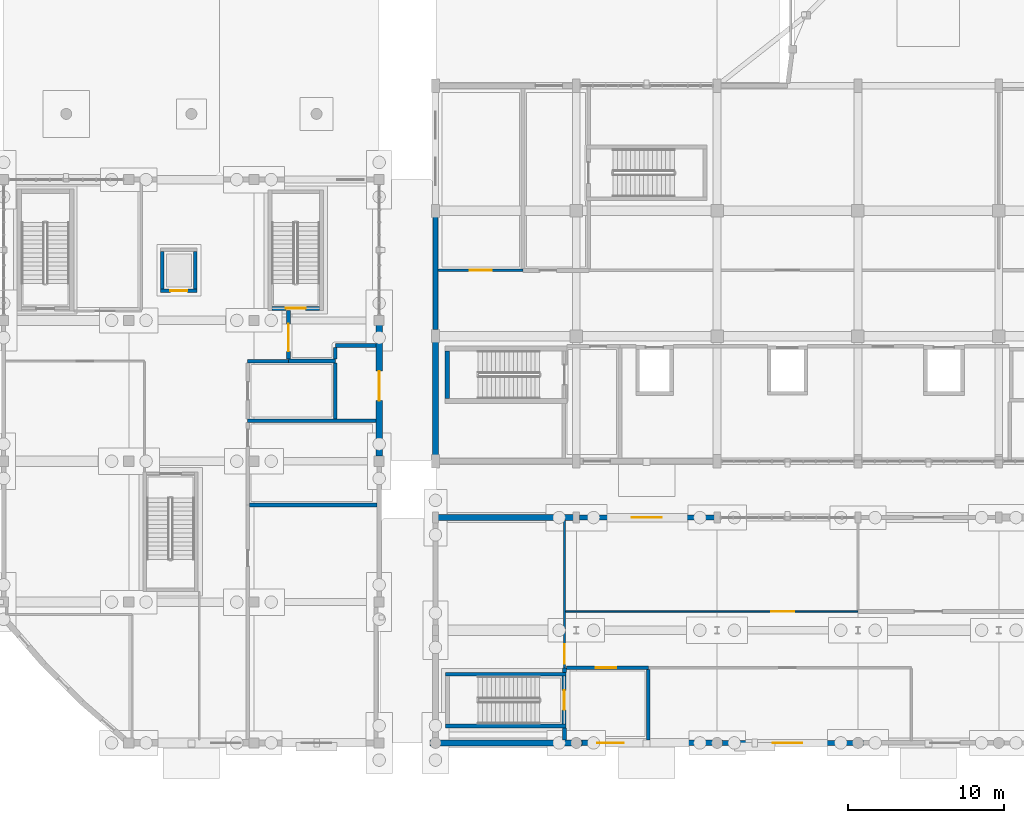
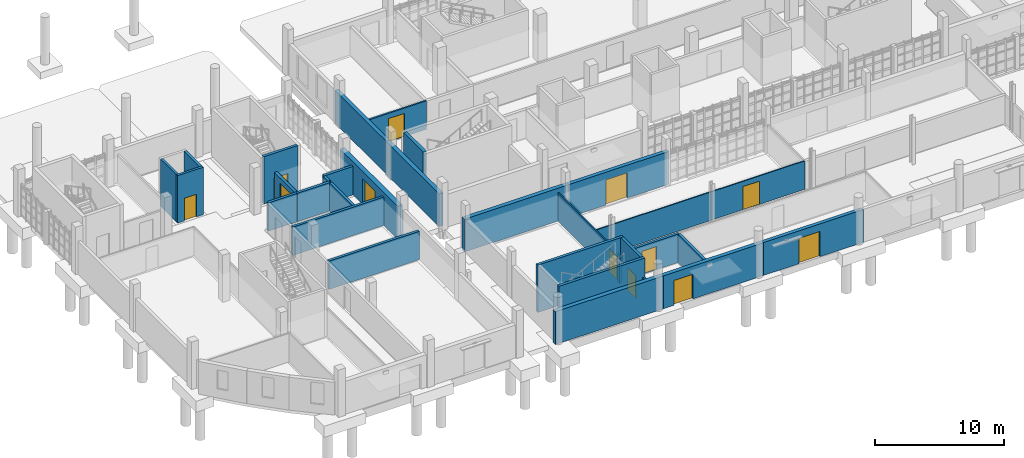
# One storey, part 42 of 63: 31 walls, 12 doors, 12 openings.
"""IFC4 building model written with IfcOpenShell, lengths in metres."""

import ifcopenshell
import ifcopenshell.guid

model = None  # the IFC model being written
_history = None  # IfcOwnerHistory: only IFC2X3 demands one
_inside = {}  # id of a spatial element -> (the spatial element, [elements in it])
_under = {}  # id of a project, library or spatial element -> (it, [spatial elements below it])
_declared = {}  # id of a project -> (the project, [libraries it declares])
_typed = {}  # id of a type object -> (the type object, [elements of that type])
_made_of = {}  # id of a material, layer set ... -> (it, [elements and type objects made of it])


def new_model(schema):
    """Start an empty IFC model of exactly this schema.

    Asked for "IFC4X3", IfcOpenShell would pick the latest addendum, in which some entities
    have other attributes; the version numbers below select the first issue.
    IFC2X3 requires an IfcOwnerHistory on every rooted entity: one is made here for all.
    """
    global model, _history
    if schema == "IFC4X3":
        model = ifcopenshell.file(schema_version=(4, 3, 0, 0))
    else:
        model = ifcopenshell.file(schema=schema)
    _inside.clear()
    _under.clear()
    _declared.clear()
    _typed.clear()
    _made_of.clear()
    _history = None
    if model.schema == "IFC2X3":
        org = make("IfcOrganization", Name="unknown")
        user = make(
            "IfcPersonAndOrganization",
            ThePerson=make("IfcPerson", FamilyName="unknown"),
            TheOrganization=org,
        )
        app = make(
            "IfcApplication",
            ApplicationDeveloper=org,
            Version="unknown",
            ApplicationFullName="unknown",
            ApplicationIdentifier="unknown",
        )
        _history = make(
            "IfcOwnerHistory",
            OwningUser=user,
            OwningApplication=app,
            ChangeAction="ADDED",
            CreationDate=0,
        )
    return model


def make(cls, **values):
    """One entity of the class cls with the attributes given. An attribute that is None is left unset."""
    return model.create_entity(
        cls, **{name: value for name, value in values.items() if value is not None}
    )


def rooted(cls, **values):
    """An entity with a GlobalId (a new one), such as an element, a storey or a relation."""
    return make(cls, GlobalId=ifcopenshell.guid.new(), OwnerHistory=_history, **values)


def si_unit(unit_type, name, prefix=None):
    """IfcSIUnit, for example si_unit("LENGTHUNIT", "METRE", prefix="MILLI")."""
    return make("IfcSIUnit", UnitType=unit_type, Prefix=prefix, Name=name)


def assignment(units):
    """IfcUnitAssignment: the units of a project."""
    return None if units is None else make("IfcUnitAssignment", Units=units)


def point(xyz):
    """IfcCartesianPoint."""
    return None if xyz is None else make("IfcCartesianPoint", Coordinates=xyz)


def direction(xyz):
    """IfcDirection."""
    return None if xyz is None else make("IfcDirection", DirectionRatios=xyz)


def frame(location, z_axis=None, x_axis=None):
    """IfcAxis2Placement3D, a coordinate frame: its origin and axes. An axis left out is left unset."""
    return make(
        "IfcAxis2Placement3D",
        Location=point(location),
        Axis=direction(z_axis),
        RefDirection=direction(x_axis),
    )


def frame_2d(location, x_axis=None):
    """IfcAxis2Placement2D, a coordinate frame in the plane: its origin and x axis."""
    return make(
        "IfcAxis2Placement2D", Location=point(location), RefDirection=direction(x_axis)
    )


def origin():
    """The frame at (0, 0, 0) with its axes left unset."""
    return frame((0.0, 0.0, 0.0))


def place(relative_to, where):
    """IfcLocalPlacement: puts the frame where relative to a parent placement (None: the world)."""
    return make(
        "IfcLocalPlacement", PlacementRelTo=relative_to, RelativePlacement=where
    )


def context(
    kind, dimensions, precision=None, world=None, true_north=None, identifier=None
):
    """IfcGeometricRepresentationContext, for example the 3D "Model" context."""
    return make(
        "IfcGeometricRepresentationContext",
        ContextIdentifier=identifier,
        ContextType=kind,
        CoordinateSpaceDimension=dimensions,
        Precision=precision,
        WorldCoordinateSystem=world,
        TrueNorth=true_north,
    )


def subcontext(parent, identifier, kind, view, scale=None):
    """IfcGeometricRepresentationSubContext, for example "Body" below "Model"."""
    return make(
        "IfcGeometricRepresentationSubContext",
        ContextIdentifier=identifier,
        ContextType=kind,
        ParentContext=parent,
        TargetScale=scale,
        TargetView=view,
    )


def project(units=None, contexts=None):
    """IfcProject with its units and contexts."""
    return rooted(
        "IfcProject",
        Name="project",
        RepresentationContexts=contexts,
        UnitsInContext=assignment(units),
    )


def spatial(cls, under=None, at=None, **own):
    """A site, building, storey or space (cls), placed at a placement, below another one or the project."""
    s = rooted(cls, ObjectPlacement=at, **own)
    if under is not None:
        _under.setdefault(under.id(), (under, []))[1].append(s)
    return s


def profile(cls, at=None, kind="AREA", **sizes):
    """A parametric profile (cls). Its sizes go by their IFC names, for example OverallWidth=200.0."""
    return make(cls, ProfileType=kind, Position=at, **sizes)


def rectangle(**sizes):
    """IfcRectangleProfileDef."""
    return profile("IfcRectangleProfileDef", **sizes)


def extrude(swept, where, along, depth):
    """IfcExtrudedAreaSolid: the profile swept, set in the frame where, extruded along a direction by depth."""
    return make(
        "IfcExtrudedAreaSolid",
        SweptArea=swept,
        Position=where,
        ExtrudedDirection=direction(along),
        Depth=depth,
    )


def shape(context_of_items, identifier, shape_type, items):
    """IfcShapeRepresentation: the items that make up one representation, for example the "Body"."""
    return make(
        "IfcShapeRepresentation",
        ContextOfItems=context_of_items,
        RepresentationIdentifier=identifier,
        RepresentationType=shape_type,
        Items=items,
    )


def material(Name=None, Category=None):
    """IfcMaterial."""
    return make("IfcMaterial", Name=Name, Category=Category)


def layer(
    of_material, thickness, ventilated=None, Name=None, Category=None, Priority=None
):
    """IfcMaterialLayer: one layer of a wall or slab, of a material (None: an air gap)."""
    return make(
        "IfcMaterialLayer",
        Material=of_material,
        LayerThickness=thickness,
        IsVentilated=ventilated,
        Name=Name,
        Category=Category,
        Priority=Priority,
    )


def layer_set(layers, Name=None):
    """IfcMaterialLayerSet."""
    return make("IfcMaterialLayerSet", MaterialLayers=layers, LayerSetName=Name)


def made_of(thing, what):
    """Note that an element or type object is made of a material, layer set ...; save() writes the relation."""
    if what is not None:
        _made_of.setdefault(what.id(), (what, []))[1].append(thing)
    return thing


def type_object(cls, material=None, **own):
    """A type object (cls), such as IfcWallType, which elements share."""
    return made_of(rooted(cls, **own), material)


def element(
    cls,
    number,
    at=None,
    inside=None,
    cuts=None,
    type_object=None,
    material=None,
    context=None,
    identifier="Body",
    shape_type=None,
    held_by="IfcProductDefinitionShape",
    body=None,
    shapes=None,
    **own,
):
    """One element of the class cls, such as IfcWall. Its Tag is "e" and its number.

    at: its placement. inside: the storey or other place that contains it. cuts: it is an
    opening in that element (IfcRelVoidsElement). A single representation is given by context,
    identifier, shape_type and body (its items); several are given by shapes. held_by: the class
    of the entity that holds the representations. save() writes the other relations.
    """
    e = rooted(cls, Tag="e%d" % number, ObjectPlacement=at, **own)
    if body is not None:
        shapes = [shape(context, identifier, shape_type, body)]
    if shapes is not None:
        e.Representation = make(held_by, Representations=shapes)
    if inside is not None:
        _inside.setdefault(inside.id(), (inside, []))[1].append(e)
    if cuts is not None:
        rooted(
            "IfcRelVoidsElement", RelatingBuildingElement=cuts, RelatedOpeningElement=e
        )
    if type_object is not None:
        _typed.setdefault(type_object.id(), (type_object, []))[1].append(e)
    return made_of(e, material)


def fill(opening, filler):
    """IfcRelFillsElement: the door or window that sits in an opening."""
    return rooted(
        "IfcRelFillsElement",
        RelatingOpeningElement=opening,
        RelatedBuildingElement=filler,
    )


def aggregate(whole, parts):
    """IfcRelAggregates: a whole, such as a stair, and the parts it consists of."""
    return rooted("IfcRelAggregates", RelatingObject=whole, RelatedObjects=parts)


def save(model, path):
    """Write the relations noted so far, then the file.

    IfcRelAggregates (storeys below a building ...), IfcRelContainedInSpatialStructure (elements
    in a storey), IfcRelDefinesByType, IfcRelAssociatesMaterial and IfcRelDeclares: one each for
    every whole, place, type object, material and project.
    """
    for whole, parts in _under.values():
        aggregate(whole, parts)
    for where, things in _inside.values():
        rooted(
            "IfcRelContainedInSpatialStructure",
            RelatedElements=things,
            RelatingStructure=where,
        )
    for kind, things in _typed.values():
        rooted("IfcRelDefinesByType", RelatedObjects=things, RelatingType=kind)
    for what, things in _made_of.values():
        rooted("IfcRelAssociatesMaterial", RelatedObjects=things, RelatingMaterial=what)
    for by, libraries in _declared.values():
        rooted("IfcRelDeclares", RelatingContext=by, RelatedDefinitions=libraries)
    model.write(path)


model = new_model("IFC4")

# Units and contexts
model_context = context("Model", 3, precision=1e-05, world=origin(), true_north=direction((0.0, 1.0)))
body_context = subcontext(model_context, "Body", "Model", "MODEL_VIEW")
ifc_project = project(units=[si_unit("LENGTHUNIT", "METRE"), si_unit("AREAUNIT", "SQUARE_METRE"), si_unit("VOLUMEUNIT", "CUBIC_METRE"), si_unit("PLANEANGLEUNIT", "RADIAN"), si_unit("MASSUNIT", "GRAM", prefix="KILO")], contexts=[model_context])

# Site, building, storey
site_placement = place(None, origin())
site = spatial("IfcSite", under=ifc_project, at=site_placement, CompositionType="ELEMENT")
building_placement = place(site_placement, origin())
building = spatial("IfcBuilding", under=site, at=building_placement, Name="Serraforn Aerial Cableway Station", CompositionType="ELEMENT")
storey_placement = place(building_placement, origin())
storey = spatial("IfcBuildingStorey", under=building, at=storey_placement, Name="L00", CompositionType="ELEMENT", Elevation=0.0)

# Wall, opening, door
ifc_material_1 = material(Name="Concrete C35/45", Category="concrete")
ifc_layer_1 = layer(ifc_material_1, 0.219970703125)
ifc_layer_set_1 = layer_set([ifc_layer_1], Name="Concrete C35/45")
wall_type_1 = type_object("IfcWallType", Name="WL-COR-220", PredefinedType="SHEAR", material=ifc_layer_set_1)
wall_1_placement = place(storey_placement, frame((10.030029296875, 28.889892578125, 0.0), z_axis=(0.0, 0.0, 1.0), x_axis=(1.0, 0.0, 0.0)))
wall_1 = element("IfcWall", 1, at=wall_1_placement, inside=storey, type_object=wall_type_1, Name="Lift Shaft Shear Wall WLFT-LF-01-L00-S", PredefinedType="SHEAR", context=body_context, shape_type="SweptSolid", body=[
    extrude(rectangle(XDim=2.340087890625, YDim=0.219970703125, at=frame_2d((1.169921875, 0.0))), origin(), (0.0, 0.0, 1.0), 4.5),
])
opening_1_placement = place(wall_1_placement, frame((0.6201171875, 0.0, 0.0)))
opening_1 = element("IfcOpeningElement", 2, at=opening_1_placement, cuts=wall_1, Name="Opening LD-01", PredefinedType="OPENING", context=body_context, shape_type="SweptSolid", body=[
    extrude(rectangle(XDim=1.10009765625, YDim=2.14990234375, at=frame_2d((0.550048828125, 1.074951171875))), frame((0.0, 0.119873046875, 0.0), z_axis=(0.0, -1.0, 0.0), x_axis=(1.0, 0.0, 0.0)), (0.0, 0.0, 1.0), 0.239990234375),
])
ifc_material_2 = material(Name="Brushed stainless-steel sliding lift landing door", Category="steel")
door_type_1 = type_object("IfcDoorType", Name="DR-LIFT-110", OperationType="SLIDING_TO_LEFT", PredefinedType="DOOR", material=ifc_material_2)
door_1_placement = place(opening_1_placement, origin())
door_1 = element("IfcDoor", 3, at=door_1_placement, inside=storey, type_object=door_type_1, Name="Sliding Lift Landing Door LD-01 (LF-01 L00)", OperationType="SLIDING_TO_LEFT", OverallHeight=2.14990234375, OverallWidth=1.10009765625, PredefinedType="DOOR", context=body_context, shape_type="SweptSolid", body=[
    extrude(rectangle(XDim=1.10009765625, YDim=2.14990234375, at=frame_2d((0.550048828125, 1.074951171875))), frame((0.0, 0.02490234375, 0.0), z_axis=(0.0, -1.0, 0.0), x_axis=(1.0, 0.0, 0.0)), (0.0, 0.0, 1.0), 0.050048828125),
])
fill(opening_1, door_1)

# Walls
for number, where, z_axis, x_axis, name in (
    (4, (10.139892578125, 29.0, 0.0), (0.0, 0.0, 1.0), (0.0, 1.0, 0.0), "Lift Shaft Shear Wall WLFT-LF-01-L00-W"),
    (5, (12.260009765625, 29.0, 0.0), (0.0, 0.0, 1.0), (0.0, 1.0, 0.0), "Lift Shaft Shear Wall WLFT-LF-01-L00-E"),
):
    element("IfcWall", number, at=place(storey_placement, frame(where, z_axis=z_axis, x_axis=x_axis)), inside=storey, type_object=wall_type_1, Name=name, PredefinedType="SHEAR", context=body_context, shape_type="SweptSolid", body=[
        extrude(rectangle(XDim=2.39990234375, YDim=0.219970703125, at=frame_2d((1.199951171875, 0.0))), origin(), (0.0, 0.0, 1.0), 4.5),
    ])

# Wall, opening, door
ifc_layer_2 = layer(ifc_material_1, 0.25)
ifc_layer_set_2 = layer_set([ifc_layer_2], Name="Concrete C35/45")
wall_type_2 = type_object("IfcWallType", Name="WL-COR-250", PredefinedType="SHEAR", material=ifc_layer_set_2)
wall_2_placement = place(storey_placement, frame((20.199951171875, 27.77490234375, 0.0), z_axis=(0.0, 0.0, 1.0), x_axis=(-1.0, 0.0, 0.0)))
wall_2 = element("IfcWall", 6, at=wall_2_placement, inside=storey, type_object=wall_type_2, Name="Stair Core Shear Wall WCOR-ST-02-L00-NEAR", PredefinedType="SHEAR", context=body_context, shape_type="SweptSolid", body=[
    extrude(rectangle(XDim=3.06005859375, YDim=0.25, at=frame_2d((1.530029296875, 0.0))), origin(), (0.0, 0.0, 1.0), 4.5),
])
opening_2_placement = place(wall_2_placement, frame((0.905029296875, 0.0, 0.0)))
opening_2 = element("IfcOpeningElement", 7, at=opening_2_placement, cuts=wall_2, Name="Opening D-S05", PredefinedType="OPENING", context=body_context, shape_type="SweptSolid", body=[
    extrude(rectangle(XDim=1.25, YDim=2.14990234375, at=frame_2d((0.625, 1.074951171875))), frame((0.0, 0.135009765625, 0.0), z_axis=(0.0, -1.0, 0.0), x_axis=(1.0, 0.0, 0.0)), (0.0, 0.0, 1.0), 0.27001953125),
])
ifc_material_3 = material(Name="Self-closing steel stair fire door", Category="steel")
door_type_2 = type_object("IfcDoorType", Name="DR-STAIR-125", OperationType="NOTDEFINED", PredefinedType="DOOR", material=ifc_material_3)
door_2_placement = place(opening_2_placement, origin())
door_2 = element("IfcDoor", 8, at=door_2_placement, inside=storey, type_object=door_type_2, Name="Protected Stair Door D-S05", OperationType="SINGLE_SWING_RIGHT", OverallHeight=2.14990234375, OverallWidth=1.25, PredefinedType="DOOR", context=body_context, shape_type="SweptSolid", body=[
    extrude(rectangle(XDim=1.25, YDim=2.14990234375, at=frame_2d((0.625, 1.074951171875))), frame((0.0, 0.02490234375, 0.0), z_axis=(0.0, -1.0, 0.0), x_axis=(1.0, 0.0, 0.0)), (0.0, 0.0, 1.0), 0.050048828125),
])
fill(opening_2, door_2)

wall_3_placement = place(storey_placement, frame((35.824951171875, 4.260009765625, 0.0), z_axis=(0.0, 0.0, 1.0), x_axis=(0.0, -1.0, 0.0)))
wall_3 = element("IfcWall", 9, at=wall_3_placement, inside=storey, type_object=wall_type_2, Name="Stair Core Shear Wall WCOR-ST-06-L00-NEAR", PredefinedType="SHEAR", context=body_context, shape_type="SweptSolid", body=[
    extrude(rectangle(XDim=3.06005859375, YDim=0.25, at=frame_2d((1.530029296875, 0.0))), origin(), (0.0, 0.0, 1.0), 4.5),
])
opening_3_placement = place(wall_3_placement, frame((0.905029296875, 0.0, 0.0)))
opening_3 = element("IfcOpeningElement", 10, at=opening_3_placement, cuts=wall_3, Name="Opening D-S29", PredefinedType="OPENING", context=body_context, shape_type="SweptSolid", body=[
    extrude(rectangle(XDim=1.25, YDim=2.14990234375, at=frame_2d((0.625, 1.074951171875))), frame((0.0, 0.135009765625, 0.0), z_axis=(0.0, -1.0, 0.0), x_axis=(1.0, 0.0, 0.0)), (0.0, 0.0, 1.0), 0.27001953125),
])
door_3_placement = place(opening_3_placement, origin())
door_3 = element("IfcDoor", 11, at=door_3_placement, inside=storey, type_object=door_type_2, Name="Protected Stair Door D-S29", OperationType="SINGLE_SWING_RIGHT", OverallHeight=2.14990234375, OverallWidth=1.25, PredefinedType="DOOR", context=body_context, shape_type="SweptSolid", body=[
    extrude(rectangle(XDim=1.25, YDim=2.14990234375, at=frame_2d((0.625, 1.074951171875))), frame((0.0, 0.02490234375, 0.0), z_axis=(0.0, -1.0, 0.0), x_axis=(1.0, 0.0, 0.0)), (0.0, 0.0, 1.0), 0.050048828125),
])
fill(opening_3, door_3)

# Walls
for number, where, z_axis, x_axis, name in (
    (12, (35.949951171875, 4.385009765625, 0.0), (0.0, 0.0, 1.0), (-1.0, 0.0, 0.0), "Stair Core Shear Wall WCOR-ST-06-L00-L"),
    (13, (35.949951171875, 1.074951171875, 0.0), (0.0, 0.0, 1.0), (-1.0, 0.0, 0.0), "Stair Core Shear Wall WCOR-ST-06-L00-R"),
):
    element("IfcWall", number, at=place(storey_placement, frame(where, z_axis=z_axis, x_axis=x_axis)), inside=storey, type_object=wall_type_2, Name=name, PredefinedType="SHEAR", context=body_context, shape_type="SweptSolid", body=[
        extrude(rectangle(XDim=7.699951171875, YDim=0.25, at=frame_2d((3.85009765625, 0.0))), origin(), (0.0, 0.0, 1.0), 4.5),
    ])
ifc_layer_3 = layer(ifc_material_1, 0.300048828125)
ifc_layer_set_3 = layer_set([ifc_layer_3], Name="Concrete C35/45")
wall_type_3 = type_object("IfcWallType", Name="WL-COR-300", PredefinedType="SHEAR", material=ifc_layer_set_3)
wall_4_placement = place(storey_placement, frame((28.35009765625, 25.06005859375, 0.0), z_axis=(0.0, 0.0, 1.0), x_axis=(0.0, -1.0, 0.0)))
element("IfcWall", 14, at=wall_4_placement, inside=storey, type_object=wall_type_3, Name="Stair Core Shear Wall WCOR-ST-03-L00-FAR", PredefinedType="SHEAR", context=body_context, shape_type="SweptSolid", body=[
    extrude(rectangle(XDim=3.06005859375, YDim=0.300048828125, at=frame_2d((1.530029296875, 0.0))), origin(), (0.0, 0.0, 1.0), 4.5),
])

# Wall, opening, door
ifc_material_4 = material(Name="Insulated fluted limestone rainscreen", Category="masonry")
ifc_layer_4 = layer(ifc_material_4, 0.320068359375)
ifc_layer_set_4 = layer_set([ifc_layer_4], Name="Insulated fluted limestone rainscreen")
wall_type_4 = type_object("IfcWallType", Name="WL-EXT-320", PredefinedType="SOLIDWALL", material=ifc_layer_set_4)
wall_5_placement = place(storey_placement, frame((45.950927734375, 0.0, 0.0), z_axis=(0.0, 0.0, 1.0), x_axis=(1.0, 0.0, 0.0)))
wall_5 = element("IfcWall", 15, at=wall_5_placement, inside=storey, type_object=wall_type_4, Name="Exterior Wall WEXT-CF-L00-S3", PredefinedType="SOLIDWALL", context=body_context, shape_type="SweptSolid", body=[
    extrude(rectangle(XDim=8.9990234375, YDim=0.320068359375, at=frame_2d((4.49951171875, 0.0))), origin(), (0.0, 0.0, 1.0), 3.1201171875),
])
opening_4_placement = place(wall_5_placement, frame((3.198974609375, 0.0, 0.0)))
opening_4 = element("IfcOpeningElement", 16, at=opening_4_placement, cuts=wall_5, Name="Opening DE-01", PredefinedType="OPENING", context=body_context, shape_type="SweptSolid", body=[
    extrude(rectangle(XDim=1.89990234375, YDim=2.39990234375, at=frame_2d((0.949951171875, 1.199951171875))), frame((0.0, 0.169921875, 0.0), z_axis=(0.0, -1.0, 0.0), x_axis=(1.0, 0.0, 0.0)), (0.0, 0.0, 1.0), 0.340087890625),
])
ifc_material_5 = material(Name="Anodised bronze thermally broken aluminium and laminated glass", Category="aluminium")
door_type_3 = type_object("IfcDoorType", Name="DR-EXT-190", OperationType="DOUBLE_SWING_LEFT", PredefinedType="DOOR", material=ifc_material_5)
door_4_placement = place(opening_4_placement, origin())
door_4 = element("IfcDoor", 17, at=door_4_placement, inside=storey, type_object=door_type_3, Name="Exterior Door DE-CF-L00-S3", OperationType="DOUBLE_SWING_LEFT", OverallHeight=2.39990234375, OverallWidth=1.89990234375, PredefinedType="DOOR", context=body_context, shape_type="SweptSolid", body=[
    extrude(rectangle(XDim=1.89990234375, YDim=2.39990234375, at=frame_2d((0.949951171875, 1.199951171875))), frame((0.0, 0.02490234375, 0.0), z_axis=(0.0, -1.0, 0.0), x_axis=(1.0, 0.0, 0.0)), (0.0, 0.0, 1.0), 0.050048828125),
])
fill(opening_4, door_4)

ifc_layer_5 = layer(ifc_material_4, 0.3349609375)
ifc_layer_set_5 = layer_set([ifc_layer_5], Name="Insulated fluted limestone rainscreen")
wall_type_5 = type_object("IfcWallType", Name="WL-EXT-335", PredefinedType="SOLIDWALL", material=ifc_layer_set_5)
wall_6_placement = place(storey_placement, frame((45.800048828125, 14.39990234375, 0.0), z_axis=(0.0, 0.0, 1.0), x_axis=(-1.0, 0.0, 0.0)))
wall_6 = element("IfcWall", 18, at=wall_6_placement, inside=storey, type_object=wall_type_5, Name="Exterior Wall WEXT-CF-L00-N2", PredefinedType="SOLIDWALL", context=body_context, shape_type="SweptSolid", body=[
    extrude(rectangle(XDim=8.9990234375, YDim=0.3349609375, at=frame_2d((4.49951171875, 0.0))), origin(), (0.0, 0.0, 1.0), 3.1201171875),
])
opening_5_placement = place(wall_6_placement, frame((3.75, 0.0, 0.0)))
opening_5 = element("IfcOpeningElement", 19, at=opening_5_placement, cuts=wall_6, Name="Opening DE-01", PredefinedType="OPENING", context=body_context, shape_type="SweptSolid", body=[
    extrude(rectangle(XDim=1.89990234375, YDim=2.39990234375, at=frame_2d((0.949951171875, 1.199951171875))), frame((0.0, 0.177490234375, 0.0), z_axis=(0.0, -1.0, 0.0), x_axis=(1.0, 0.0, 0.0)), (0.0, 0.0, 1.0), 0.35498046875),
])
door_5_placement = place(opening_5_placement, origin())
door_5 = element("IfcDoor", 20, at=door_5_placement, inside=storey, type_object=door_type_3, Name="Exterior Door DE-CF-L00-N2", OperationType="DOUBLE_SWING_LEFT", OverallHeight=2.39990234375, OverallWidth=1.89990234375, PredefinedType="DOOR", context=body_context, shape_type="SweptSolid", body=[
    extrude(rectangle(XDim=1.89990234375, YDim=2.39990234375, at=frame_2d((0.949951171875, 1.199951171875))), frame((0.0, 0.02490234375, 0.0), z_axis=(0.0, -1.0, 0.0), x_axis=(1.0, 0.0, 0.0)), (0.0, 0.0, 1.0), 0.050048828125),
])
fill(opening_5, door_5)

# Wall
wall_7_placement = place(storey_placement, frame((27.60009765625, 34.425048828125, 0.0), z_axis=(0.0, 0.0, 1.0), x_axis=(0.0, -1.0, 0.0)))
element("IfcWall", 21, at=wall_7_placement, inside=storey, type_object=wall_type_5, Name="Exterior Wall WEXT-CV-L00-W2", PredefinedType="SOLIDWALL", context=body_context, shape_type="SweptSolid", body=[
    extrude(rectangle(XDim=7.9990234375, YDim=0.3349609375, at=frame_2d((3.99951171875, 0.0))), origin(), (0.0, 0.0, 1.0), 3.1201171875),
])

# Wall, opening, door
ifc_material_6 = material(Name="Montjuic sandstone ashlar masonry", Category="masonry")
ifc_layer_6 = layer(ifc_material_6, 0.35009765625)
ifc_layer_set_6 = layer_set([ifc_layer_6], Name="Montjuic sandstone ashlar masonry")
wall_type_6 = type_object("IfcWallType", Name="WL-EXT-350", PredefinedType="SOLIDWALL", material=ifc_layer_set_6)
wall_8_placement = place(storey_placement, frame((36.950927734375, 0.0, 0.0), z_axis=(0.0, 0.0, 1.0), x_axis=(1.0, 0.0, 0.0)))
wall_8 = element("IfcWall", 22, at=wall_8_placement, inside=storey, type_object=wall_type_6, Name="Exterior Wall WEXT-CF-L00-S2", PredefinedType="SOLIDWALL", context=body_context, shape_type="SweptSolid", body=[
    extrude(rectangle(XDim=8.9990234375, YDim=0.35009765625, at=frame_2d((4.49951171875, 0.0))), origin(), (0.0, 0.0, 1.0), 3.1201171875),
])
opening_6_placement = place(wall_8_placement, frame((0.980712890625, 0.0, 0.0)))
opening_6 = element("IfcOpeningElement", 23, at=opening_6_placement, cuts=wall_8, Name="Opening DE-03", PredefinedType="OPENING", context=body_context, shape_type="SweptSolid", body=[
    extrude(rectangle(XDim=1.699951171875, YDim=2.35009765625, at=frame_2d((0.85009765625, 1.175048828125))), frame((0.0, 0.18505859375, 0.0), z_axis=(0.0, -1.0, 0.0), x_axis=(1.0, 0.0, 0.0)), (0.0, 0.0, 1.0), 0.3701171875),
])
door_type_4 = type_object("IfcDoorType", Name="DR-EXT-170", OperationType="DOUBLE_SWING_LEFT", PredefinedType="DOOR", material=ifc_material_5)
door_6_placement = place(opening_6_placement, origin())
door_6 = element("IfcDoor", 24, at=door_6_placement, inside=storey, type_object=door_type_4, Name="Exterior Door DE-CF-L00-S2", OperationType="DOUBLE_SWING_LEFT", OverallHeight=2.35009765625, OverallWidth=1.699951171875, PredefinedType="DOOR", context=body_context, shape_type="SweptSolid", body=[
    extrude(rectangle(XDim=1.699951171875, YDim=2.35009765625, at=frame_2d((0.85009765625, 1.175048828125))), frame((0.0, 0.02490234375, 0.0), z_axis=(0.0, -1.0, 0.0), x_axis=(1.0, 0.0, 0.0)), (0.0, 0.0, 1.0), 0.050048828125),
])
fill(opening_6, door_6)

# Walls
ifc_layer_7 = layer(ifc_material_6, 0.364990234375)
ifc_layer_set_7 = layer_set([ifc_layer_7], Name="Montjuic sandstone ashlar masonry")
wall_type_7 = type_object("IfcWallType", Name="WL-EXT-365", PredefinedType="SOLIDWALL", material=ifc_layer_set_7)
wall_9_placement = place(storey_placement, frame((36.800048828125, 14.39990234375, 0.0), z_axis=(0.0, 0.0, 1.0), x_axis=(-1.0, 0.0, 0.0)))
element("IfcWall", 25, at=wall_9_placement, inside=storey, type_object=wall_type_7, Name="Exterior Wall WEXT-CF-L00-N1", PredefinedType="SOLIDWALL", context=body_context, shape_type="SweptSolid", body=[
    extrude(rectangle(XDim=9.400146484375, YDim=0.364990234375, at=frame_2d((4.7001953125, 0.0))), origin(), (0.0, 0.0, 1.0), 3.1201171875),
])
wall_10_placement = place(storey_placement, frame((27.60009765625, 26.425048828125, 0.0), z_axis=(0.0, 0.0, 1.0), x_axis=(0.0, -1.0, 0.0)))
element("IfcWall", 26, at=wall_10_placement, inside=storey, type_object=wall_type_7, Name="Exterior Wall WEXT-CV-L00-W1", PredefinedType="SOLIDWALL", context=body_context, shape_type="SweptSolid", body=[
    extrude(rectangle(XDim=8.234130859375, YDim=0.364990234375, at=frame_2d((4.1171875, 0.0))), origin(), (0.0, 0.0, 1.0), 3.1201171875),
])
ifc_layer_8 = layer(ifc_material_6, 0.3798828125)
ifc_layer_set_8 = layer_set([ifc_layer_8], Name="Montjuic sandstone ashlar masonry")
wall_type_8 = type_object("IfcWallType", Name="WL-EXT-380", PredefinedType="SOLIDWALL", material=ifc_layer_set_8)
wall_11_placement = place(storey_placement, frame((27.25, 0.0, 0.0), z_axis=(0.0, 0.0, 1.0), x_axis=(1.0, 0.0, 0.0)))
element("IfcWall", 27, at=wall_11_placement, inside=storey, type_object=wall_type_8, Name="Exterior Wall WEXT-CF-L00-S1", PredefinedType="SOLIDWALL", context=body_context, shape_type="SweptSolid", body=[
    extrude(rectangle(XDim=9.699951171875, YDim=0.3798828125, at=frame_2d((4.85009765625, 0.0))), origin(), (0.0, 0.0, 1.0), 3.1201171875),
])

# Wall, opening, door
ifc_layer_9 = layer(ifc_material_6, 0.429931640625)
ifc_layer_set_9 = layer_set([ifc_layer_9], Name="Montjuic sandstone ashlar masonry")
wall_type_9 = type_object("IfcWallType", Name="WL-EXT-430", PredefinedType="SOLIDWALL", material=ifc_layer_set_9)
wall_12_placement = place(storey_placement, frame((24.0, 18.325927734375, 0.0), z_axis=(0.0, 0.0, 1.0), x_axis=(0.0, 1.0, 0.0)))
wall_12 = element("IfcWall", 28, at=wall_12_placement, inside=storey, type_object=wall_type_9, Name="Exterior Wall WEXT-W-L00-E3", PredefinedType="SOLIDWALL", context=body_context, shape_type="SweptSolid", body=[
    extrude(rectangle(XDim=8.9990234375, YDim=0.429931640625, at=frame_2d((4.49951171875, 0.0))), origin(), (0.0, 0.0, 1.0), 3.1201171875),
])
opening_7_placement = place(wall_12_placement, frame((3.54248046875, 0.0, 0.0)))
opening_7 = element("IfcOpeningElement", 29, at=opening_7_placement, cuts=wall_12, Name="Opening DE-01", PredefinedType="OPENING", context=body_context, shape_type="SweptSolid", body=[
    extrude(rectangle(XDim=1.89990234375, YDim=2.39990234375, at=frame_2d((0.949951171875, 1.199951171875))), frame((0.0, 0.224853515625, 0.0), z_axis=(0.0, -1.0, 0.0), x_axis=(1.0, 0.0, 0.0)), (0.0, 0.0, 1.0), 0.449951171875),
])
door_7_placement = place(opening_7_placement, origin())
door_7 = element("IfcDoor", 30, at=door_7_placement, inside=storey, type_object=door_type_3, Name="Exterior Door DE-W-L00-E3", OperationType="DOUBLE_SWING_LEFT", OverallHeight=2.39990234375, OverallWidth=1.89990234375, PredefinedType="DOOR", context=body_context, shape_type="SweptSolid", body=[
    extrude(rectangle(XDim=1.89990234375, YDim=2.39990234375, at=frame_2d((0.949951171875, 1.199951171875))), frame((0.0, 0.02490234375, 0.0), z_axis=(0.0, -1.0, 0.0), x_axis=(1.0, 0.0, 0.0)), (0.0, 0.0, 1.0), 0.050048828125),
])
fill(opening_7, door_7)

ifc_material_7 = material(Name="Concrete C30/37", Category="concrete")
ifc_layer_10 = layer(ifc_material_7, 0.241943359375)
ifc_layer_set_10 = layer_set([ifc_layer_10], Name="Concrete C30/37")
wall_type_10 = type_object("IfcWallType", Name="WL-FIR-242", PredefinedType="SOLIDWALL", material=ifc_layer_set_10)
wall_13_placement = place(storey_placement, frame((18.199951171875, 24.52197265625, 0.0), z_axis=(0.0, 0.0, 1.0), x_axis=(0.0, 1.0, 0.0)))
wall_13 = element("IfcWall", 31, at=wall_13_placement, inside=storey, type_object=wall_type_10, Name="Interior Partition WPRT-L00-22-28", PredefinedType="SOLIDWALL", context=body_context, shape_type="SweptSolid", body=[
    extrude(rectangle(XDim=3.126953125, YDim=0.241943359375, at=frame_2d((1.5634765625, 0.0))), origin(), (0.0, 0.0, 1.0), 2.699951171875),
])
opening_8_placement = place(wall_13_placement, frame((0.498046875, 0.0, 0.0)))
opening_8 = element("IfcOpeningElement", 32, at=opening_8_placement, cuts=wall_13, Name="Opening DI-008", PredefinedType="OPENING", context=body_context, shape_type="SweptSolid", body=[
    extrude(rectangle(XDim=1.760009765625, YDim=2.219970703125, at=frame_2d((0.8798828125, 1.10986328125))), frame((0.0, 0.130859375, 0.0), z_axis=(0.0, -1.0, 0.0), x_axis=(1.0, 0.0, 0.0)), (0.0, 0.0, 1.0), 0.261962890625),
])
ifc_material_8 = material(Name="Double-leaf machinery vault door")
door_type_5 = type_object("IfcDoorType", Name="DR-INT-176", OperationType="NOTDEFINED", PredefinedType="DOOR", material=ifc_material_8)
door_8_placement = place(opening_8_placement, origin())
door_8 = element("IfcDoor", 33, at=door_8_placement, inside=storey, type_object=door_type_5, Name="Room Door DI-008 (L00-22)", OperationType="SINGLE_SWING_LEFT", OverallHeight=2.219970703125, OverallWidth=1.760009765625, PredefinedType="DOOR", context=body_context, shape_type="SweptSolid", body=[
    extrude(rectangle(XDim=1.760009765625, YDim=2.219970703125, at=frame_2d((0.8798828125, 1.10986328125))), frame((0.0, 0.02490234375, 0.0), z_axis=(0.0, -1.0, 0.0), x_axis=(1.0, 0.0, 0.0)), (0.0, 0.0, 1.0), 0.050048828125),
])
fill(opening_8, door_8)

# Walls
wall_14_placement = place(storey_placement, frame((23.783935546875, 25.39990234375, 0.0), z_axis=(0.0, 0.0, 1.0), x_axis=(-1.0, 0.0, 0.0)))
element("IfcWall", 34, at=wall_14_placement, inside=storey, type_object=wall_type_10, Name="Interior Partition WPRT-L00-22-29", PredefinedType="SOLIDWALL", context=body_context, shape_type="SweptSolid", body=[
    extrude(rectangle(XDim=2.583984375, YDim=0.241943359375, at=frame_2d((1.2919921875, 0.0))), origin(), (0.0, 0.0, 1.0), 2.699951171875),
])
wall_15_placement = place(storey_placement, frame((21.199951171875, 25.278076171875, 0.0), z_axis=(0.0, 0.0, 1.0), x_axis=(0.0, -1.0, 0.0)))
element("IfcWall", 35, at=wall_15_placement, inside=storey, type_object=wall_type_10, Name="Interior Partition WPRT-L00-22-30", PredefinedType="SOLIDWALL", context=body_context, shape_type="SweptSolid", body=[
    extrude(rectangle(XDim=0.756103515625, YDim=0.241943359375, at=frame_2d((0.3779296875, 0.0))), origin(), (0.0, 0.0, 1.0), 2.699951171875),
])
wall_16_placement = place(storey_placement, frame((21.199951171875, 24.39990234375, 0.0), z_axis=(0.0, 0.0, 1.0), x_axis=(-1.0, 0.0, 0.0)))
element("IfcWall", 36, at=wall_16_placement, inside=storey, type_object=wall_type_10, Name="Interior Partition WPRT-L00-22-31", PredefinedType="SOLIDWALL", context=body_context, shape_type="SweptSolid", body=[
    extrude(rectangle(XDim=3.0, YDim=0.241943359375, at=frame_2d((1.5, 0.0))), origin(), (0.0, 0.0, 1.0), 2.699951171875),
])
wall_17_placement = place(storey_placement, frame((35.85009765625, 0.19091796875, 0.0), z_axis=(0.0, 0.0, 1.0), x_axis=(0.0, 1.0, 0.0)))
element("IfcWall", 37, at=wall_17_placement, inside=storey, type_object=wall_type_10, Name="Interior Partition WPRT-L00-26-48", PredefinedType="SOLIDWALL", context=body_context, shape_type="SweptSolid", body=[
    extrude(rectangle(XDim=0.758056640625, YDim=0.241943359375, at=frame_2d((0.37890625, 0.0))), origin(), (0.0, 0.0, 1.0), 2.699951171875),
])
wall_18_placement = place(storey_placement, frame((35.85009765625, 4.510986328125, 0.0), z_axis=(0.0, 0.0, 1.0), x_axis=(0.0, 1.0, 0.0)))
element("IfcWall", 38, at=wall_18_placement, inside=storey, type_object=wall_type_10, Name="Interior Partition WPRT-L00-26-49", PredefinedType="SOLIDWALL", context=body_context, shape_type="SweptSolid", body=[
    extrude(rectangle(XDim=0.2890625, YDim=0.241943359375, at=frame_2d((0.14453125, 0.0))), origin(), (0.0, 0.0, 1.0), 2.699951171875),
])

# Wall, opening, door
wall_19_placement = place(storey_placement, frame((35.971923828125, 4.800048828125, 0.0), z_axis=(0.0, 0.0, 1.0), x_axis=(1.0, 0.0, 0.0)))
wall_19 = element("IfcWall", 39, at=wall_19_placement, inside=storey, type_object=wall_type_10, Name="Interior Partition WPRT-L00-26-50", PredefinedType="SOLIDWALL", context=body_context, shape_type="SweptSolid", body=[
    extrude(rectangle(XDim=5.22802734375, YDim=0.241943359375, at=frame_2d((2.614013671875, 0.0))), origin(), (0.0, 0.0, 1.0), 2.699951171875),
])
opening_9_placement = place(wall_19_placement, frame((1.867919921875, 0.0, 0.0)))
opening_9 = element("IfcOpeningElement", 40, at=opening_9_placement, cuts=wall_19, Name="Opening DI-014", PredefinedType="OPENING", context=body_context, shape_type="SweptSolid", body=[
    extrude(rectangle(XDim=1.320068359375, YDim=2.199951171875, at=frame_2d((0.66015625, 1.10009765625))), frame((0.0, 0.130859375, 0.0), z_axis=(0.0, -1.0, 0.0), x_axis=(1.0, 0.0, 0.0)), (0.0, 0.0, 1.0), 0.261962890625),
])
ifc_material_9 = material(Name="Double-leaf fire-rated hall door")
door_type_6 = type_object("IfcDoorType", Name="DR-INT-132", OperationType="NOTDEFINED", PredefinedType="DOOR", material=ifc_material_9)
door_9_placement = place(opening_9_placement, origin())
door_9 = element("IfcDoor", 41, at=door_9_placement, inside=storey, type_object=door_type_6, Name="Room Door DI-014 (L00-26)", OperationType="SINGLE_SWING_LEFT", OverallHeight=2.199951171875, OverallWidth=1.320068359375, PredefinedType="DOOR", context=body_context, shape_type="SweptSolid", body=[
    extrude(rectangle(XDim=1.320068359375, YDim=2.199951171875, at=frame_2d((0.66015625, 1.10009765625))), frame((0.0, 0.02490234375, 0.0), z_axis=(0.0, -1.0, 0.0), x_axis=(1.0, 0.0, 0.0)), (0.0, 0.0, 1.0), 0.050048828125),
])
fill(opening_9, door_9)

# Walls
wall_20_placement = place(storey_placement, frame((41.199951171875, 4.677978515625, 0.0), z_axis=(0.0, 0.0, 1.0), x_axis=(0.0, -1.0, 0.0)))
element("IfcWall", 42, at=wall_20_placement, inside=storey, type_object=wall_type_10, Name="Interior Partition WPRT-L00-26-51", PredefinedType="SOLIDWALL", context=body_context, shape_type="SweptSolid", body=[
    extrude(rectangle(XDim=4.501953125, YDim=0.241943359375, at=frame_2d((2.2509765625, 0.0))), origin(), (0.0, 0.0, 1.0), 2.699951171875),
])
ifc_material_10 = material(Name="Sanitary service chase partition")
ifc_layer_11 = layer(ifc_material_10, 0.22802734375)
ifc_layer_set_11 = layer_set([ifc_layer_11], Name="Sanitary service chase partition")
wall_type_11 = type_object("IfcWallType", Name="WL-PLM-228", PredefinedType="PLUMBINGWALL", material=ifc_layer_set_11)
wall_21_placement = place(storey_placement, frame((15.60009765625, 20.60009765625, 0.0), z_axis=(0.0, 0.0, 1.0), x_axis=(1.0, 0.0, 0.0)))
element("IfcWall", 43, at=wall_21_placement, inside=storey, type_object=wall_type_11, Name="Interior Partition WPRT-L00-03-42", PredefinedType="PLUMBINGWALL", context=body_context, shape_type="SweptSolid", body=[
    extrude(rectangle(XDim=8.183837890625, YDim=0.22802734375, at=frame_2d((4.091796875, 0.0))), origin(), (0.0, 0.0, 1.0), 2.699951171875),
])
wall_22_placement = place(storey_placement, frame((15.60009765625, 24.39990234375, 0.0), z_axis=(0.0, 0.0, 1.0), x_axis=(1.0, 0.0, 0.0)))
element("IfcWall", 44, at=wall_22_placement, inside=storey, type_object=wall_type_11, Name="Interior Partition WPRT-L00-04-44", PredefinedType="PLUMBINGWALL", context=body_context, shape_type="SweptSolid", body=[
    extrude(rectangle(XDim=2.599853515625, YDim=0.22802734375, at=frame_2d((1.2998046875, 0.0))), origin(), (0.0, 0.0, 1.0), 2.699951171875),
])
wall_23_placement = place(storey_placement, frame((21.199951171875, 24.278076171875, 0.0), z_axis=(0.0, 0.0, 1.0), x_axis=(0.0, -1.0, 0.0)))
element("IfcWall", 45, at=wall_23_placement, inside=storey, type_object=wall_type_11, Name="Interior Partition WPRT-L00-04-45", PredefinedType="PLUMBINGWALL", context=body_context, shape_type="SweptSolid", body=[
    extrude(rectangle(XDim=3.56298828125, YDim=0.22802734375, at=frame_2d((1.781494140625, 0.0))), origin(), (0.0, 0.0, 1.0), 2.699951171875),
])

# Wall, opening, door
ifc_material_11 = material(Name="Glazed acoustic timber-framed partition", Category="wood")
ifc_layer_12 = layer(ifc_material_11, 0.097900390625)
ifc_layer_set_12 = layer_set([ifc_layer_12], Name="Glazed acoustic timber-framed partition")
wall_type_12 = type_object("IfcWallType", Name="WL-PRT-098", PredefinedType="PARTITIONING", material=ifc_layer_set_12)
wall_24_placement = place(storey_placement, frame((54.60009765625, 8.39990234375, 0.0), z_axis=(0.0, 0.0, 1.0), x_axis=(-1.0, 0.0, 0.0)))
wall_24 = element("IfcWall", 46, at=wall_24_placement, inside=storey, type_object=wall_type_12, Name="Interior Partition WPRT-L00-09-56", PredefinedType="PARTITIONING", context=body_context, shape_type="SweptSolid", body=[
    extrude(rectangle(XDim=18.75, YDim=0.097900390625, at=frame_2d((9.375, 0.0))), origin(), (0.0, 0.0, 1.0), 2.699951171875),
])
opening_10_placement = place(wall_24_placement, frame((4.06005859375, 0.0, 0.0)))
opening_10 = element("IfcOpeningElement", 47, at=opening_10_placement, cuts=wall_24, Name="Opening DI-017", PredefinedType="OPENING", context=body_context, shape_type="SweptSolid", body=[
    extrude(rectangle(XDim=1.47998046875, YDim=2.199951171875, at=frame_2d((0.739990234375, 1.10009765625))), frame((0.0, 0.058837890625, 0.0), z_axis=(0.0, -1.0, 0.0), x_axis=(1.0, 0.0, 0.0)), (0.0, 0.0, 1.0), 0.117919921875),
])
ifc_material_12 = material(Name="Double-leaf glazed salon door")
door_type_7 = type_object("IfcDoorType", Name="DR-INT-148U", OperationType="NOTDEFINED", PredefinedType="DOOR", material=ifc_material_12)
door_10_placement = place(opening_10_placement, origin())
door_10 = element("IfcDoor", 48, at=door_10_placement, inside=storey, type_object=door_type_7, Name="Room Door DI-017 (L00-09)", OperationType="SINGLE_SWING_RIGHT", OverallHeight=2.199951171875, OverallWidth=1.47998046875, PredefinedType="DOOR", context=body_context, shape_type="SweptSolid", body=[
    extrude(rectangle(XDim=1.47998046875, YDim=2.199951171875, at=frame_2d((0.739990234375, 1.10009765625))), frame((0.0, 0.02490234375, 0.0), z_axis=(0.0, -1.0, 0.0), x_axis=(1.0, 0.0, 0.0)), (0.0, 0.0, 1.0), 0.050048828125),
])
fill(opening_10, door_10)

ifc_layer_13 = layer(ifc_material_11, 0.10595703125)
ifc_layer_set_13 = layer_set([ifc_layer_13], Name="Glazed acoustic timber-framed partition")
wall_type_13 = type_object("IfcWallType", Name="WL-PRT-106", PredefinedType="PARTITIONING", material=ifc_layer_set_13)
wall_25_placement = place(storey_placement, frame((35.85009765625, 14.216552734375, 0.0), z_axis=(0.0, 0.0, 1.0), x_axis=(0.0, -1.0, 0.0)))
wall_25 = element("IfcWall", 49, at=wall_25_placement, inside=storey, type_object=wall_type_13, Name="Interior Partition WPRT-L00-08-54", PredefinedType="PARTITIONING", context=body_context, shape_type="SweptSolid", body=[
    extrude(rectangle(XDim=9.41650390625, YDim=0.10595703125, at=frame_2d((4.708251953125, 0.0))), origin(), (0.0, 0.0, 1.0), 2.699951171875),
])
opening_11_placement = place(wall_25_placement, frame((7.906494140625, 0.0, 0.0)))
opening_11 = element("IfcOpeningElement", 50, at=opening_11_placement, cuts=wall_25, Name="Opening DI-016", PredefinedType="OPENING", context=body_context, shape_type="SweptSolid", body=[
    extrude(rectangle(XDim=1.260009765625, YDim=2.179931640625, at=frame_2d((0.6298828125, 1.08984375))), frame((0.0, 0.06298828125, 0.0), z_axis=(0.0, -1.0, 0.0), x_axis=(1.0, 0.0, 0.0)), (0.0, 0.0, 1.0), 0.1259765625),
])
ifc_material_13 = material(Name="Double-leaf acoustic veneer door")
door_type_8 = type_object("IfcDoorType", Name="DR-INT-126U", OperationType="NOTDEFINED", PredefinedType="DOOR", material=ifc_material_13)
door_11_placement = place(opening_11_placement, origin())
door_11 = element("IfcDoor", 51, at=door_11_placement, inside=storey, type_object=door_type_8, Name="Room Door DI-016 (L00-08)", OperationType="SINGLE_SWING_LEFT", OverallHeight=2.179931640625, OverallWidth=1.260009765625, PredefinedType="DOOR", context=body_context, shape_type="SweptSolid", body=[
    extrude(rectangle(XDim=1.260009765625, YDim=2.179931640625, at=frame_2d((0.6298828125, 1.08984375))), frame((0.0, 0.02490234375, 0.0), z_axis=(0.0, -1.0, 0.0), x_axis=(1.0, 0.0, 0.0)), (0.0, 0.0, 1.0), 0.050048828125),
])
fill(opening_11, door_11)

ifc_material_14 = material(Name="Acoustic twin-stud gypsum partition")
ifc_layer_14 = layer(ifc_material_14, 0.14501953125)
ifc_layer_set_14 = layer_set([ifc_layer_14], Name="Acoustic twin-stud gypsum partition")
wall_type_14 = type_object("IfcWallType", Name="WL-PRT-145", PredefinedType="PARTITIONING", material=ifc_layer_set_14)
wall_26_placement = place(storey_placement, frame((33.199951171875, 30.199951171875, 0.0), z_axis=(0.0, 0.0, 1.0), x_axis=(-1.0, 0.0, 0.0)))
wall_26 = element("IfcWall", 52, at=wall_26_placement, inside=storey, type_object=wall_type_14, Name="Interior Partition WPRT-L00-21-79", PredefinedType="PARTITIONING", context=body_context, shape_type="SweptSolid", body=[
    extrude(rectangle(XDim=5.431396484375, YDim=0.14501953125, at=frame_2d((2.7158203125, 0.0))), origin(), (0.0, 0.0, 1.0), 2.699951171875),
])
opening_12_placement = place(wall_26_placement, frame((1.989990234375, 0.0, 0.0)))
opening_12 = element("IfcOpeningElement", 53, at=opening_12_placement, cuts=wall_26, Name="Opening DI-025", PredefinedType="OPENING", context=body_context, shape_type="SweptSolid", body=[
    extrude(rectangle(XDim=1.419921875, YDim=2.199951171875, at=frame_2d((0.7099609375, 1.10009765625))), frame((0.0, 0.08251953125, 0.0), z_axis=(0.0, -1.0, 0.0), x_axis=(1.0, 0.0, 0.0)), (0.0, 0.0, 1.0), 0.1650390625),
])
door_type_9 = type_object("IfcDoorType", Name="DR-INT-142", OperationType="NOTDEFINED", PredefinedType="DOOR", material=ifc_material_9)
door_12_placement = place(opening_12_placement, origin())
door_12 = element("IfcDoor", 54, at=door_12_placement, inside=storey, type_object=door_type_9, Name="Room Door DI-025 (L00-21)", OperationType="SINGLE_SWING_RIGHT", OverallHeight=2.199951171875, OverallWidth=1.419921875, PredefinedType="DOOR", context=body_context, shape_type="SweptSolid", body=[
    extrude(rectangle(XDim=1.419921875, YDim=2.199951171875, at=frame_2d((0.7099609375, 1.10009765625))), frame((0.0, 0.02490234375, 0.0), z_axis=(0.0, -1.0, 0.0), x_axis=(1.0, 0.0, 0.0)), (0.0, 0.0, 1.0), 0.050048828125),
])
fill(opening_12, door_12)

# Wall
ifc_material_15 = material(Name="Acoustic masonry blockwork", Category="masonry")
ifc_layer_15 = layer(ifc_material_15, 0.235107421875)
ifc_layer_set_15 = layer_set([ifc_layer_15], Name="Acoustic masonry blockwork")
wall_type_15 = type_object("IfcWallType", Name="WL-PRT-235", PredefinedType="PARTITIONING", material=ifc_layer_set_15)
wall_27_placement = place(storey_placement, frame((15.721923828125, 15.199951171875, 0.0), z_axis=(0.0, 0.0, 1.0), x_axis=(1.0, 0.0, 0.0)))
element("IfcWall", 55, at=wall_27_placement, inside=storey, type_object=wall_type_15, Name="Interior Partition WPRT-L00-02-39", PredefinedType="PARTITIONING", context=body_context, shape_type="SweptSolid", body=[
    extrude(rectangle(XDim=8.1396484375, YDim=0.235107421875, at=frame_2d((4.06982421875, 0.0))), origin(), (0.0, 0.0, 1.0), 2.699951171875),
])

save(model, "model.ifc")
